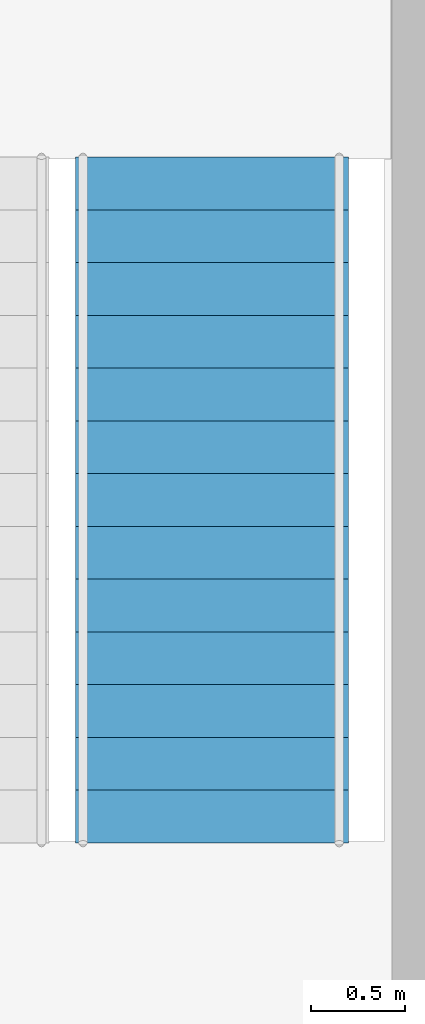
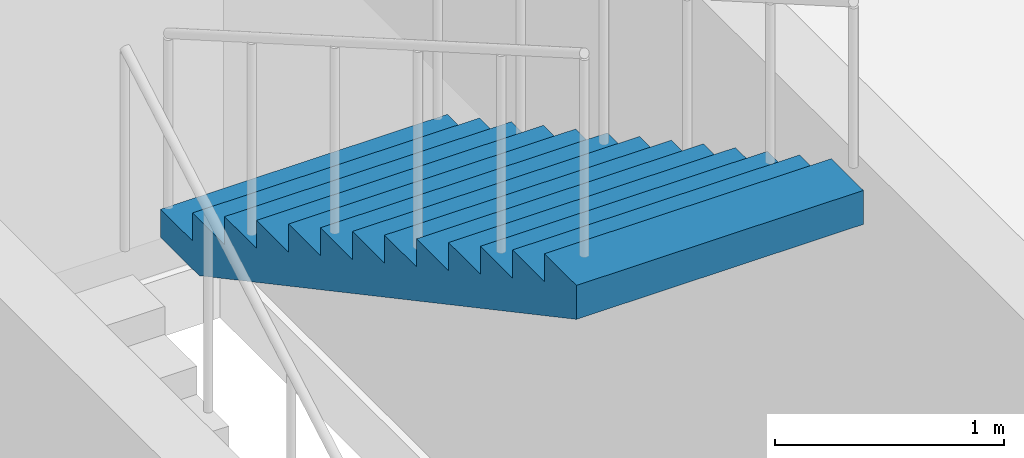
# One storey, part 109 of 117: 1 stair flight, 1 element without a shape of its own.
"""IFC4 building model written with IfcOpenShell, lengths in metres."""

from ifc_helpers import new_model, si_unit, direction, frame, origin, place, context, subcontext, project, spatial, polyline, outline, extrude, material, type_object, element, aggregate, save


model = new_model("IFC4")

# Units and contexts
model_context = context("Model", 3, precision=1e-05, world=origin(), true_north=direction((0.0, 1.0)))
body_context = subcontext(model_context, "Body", "Model", "MODEL_VIEW")
ifc_project = project(units=[si_unit("LENGTHUNIT", "METRE"), si_unit("AREAUNIT", "SQUARE_METRE"), si_unit("VOLUMEUNIT", "CUBIC_METRE"), si_unit("PLANEANGLEUNIT", "RADIAN"), si_unit("MASSUNIT", "GRAM", prefix="KILO")], contexts=[model_context])

# Site, building, storey
site_placement = place(None, origin())
site = spatial("IfcSite", under=ifc_project, at=site_placement, CompositionType="ELEMENT")
building_placement = place(site_placement, origin())
building = spatial("IfcBuilding", under=site, at=building_placement, Name="Merenkruunu Market Hall", CompositionType="ELEMENT")
storey_placement = place(building_placement, frame((0.0, 0.0, 10.199951171875)))
storey = spatial("IfcBuildingStorey", under=building, at=storey_placement, Name="L02", CompositionType="ELEMENT", Elevation=10.199951171875)

# Stair, stair flight
ifc_material = material(Name="Concrete C35/45", Category="concrete")
stair_type = type_object("IfcStairType", Name="Two Flight Half Turn Stair ST04", PredefinedType="TWO_STRAIGHT_RUN_STAIR", material=ifc_material)
stair_placement = place(storey_placement, origin())
stair = element("IfcStair", 1, at=stair_placement, inside=storey, type_object=stair_type, Name="Protected Stair ST15 (K6 L02-L03)", PredefinedType="TWO_STRAIGHT_RUN_STAIR")
stair_flight_type = type_object("IfcStairFlightType", Name="Straight Stair Flight SFL03", PredefinedType="STRAIGHT", material=ifc_material)
stair_flight_placement = place(storey_placement, frame((186.094970703125, 22.889892578125, 2.10009765625), z_axis=(0.0, 0.0, 1.0), x_axis=(0.0, -1.0, 0.0)))
stair_flight = element("IfcStairFlight", 2, at=stair_flight_placement, type_object=stair_flight_type, Name="ST15 flight 2", NumberOfRisers=14, NumberOfTreads=13, PredefinedType="STRAIGHT", RiserHeight=0.15, TreadLength=0.28, context=body_context, shape_type="SweptSolid", body=[
    extrude(outline(polyline([(0.0, 0.0), (0.0, 0.14990234375), (0.280029296875, 0.14990234375), (0.280029296875, 0.300048828125), (0.56005859375, 0.300048828125), (0.56005859375, 0.449951171875), (0.840087890625, 0.449951171875), (0.840087890625, 0.60009765625), (1.1201171875, 0.60009765625), (1.1201171875, 0.75), (1.39990234375, 0.75), (1.39990234375, 0.89990234375), (1.679931640625, 0.89990234375), (1.679931640625, 1.050048828125), (1.9599609375, 1.050048828125), (1.9599609375, 1.199951171875), (2.239990234375, 1.199951171875), (2.239990234375, 1.35009765625), (2.52001953125, 1.35009765625), (2.52001953125, 1.5), (2.800048828125, 1.5), (2.800048828125, 1.64990234375), (3.080078125, 1.64990234375), (3.080078125, 1.800048828125), (3.360107421875, 1.800048828125), (3.360107421875, 1.949951171875), (3.639892578125, 1.949951171875), (3.639892578125, 2.10009765625), (3.639892578125, 1.7685546875), (0.338623046875, 0.0), (0.0, 0.0)])), frame((0.0, 0.72509765625, 0.0), z_axis=(0.0, -1.0, 0.0), x_axis=(1.0, 0.0, 0.0)), (0.0, 0.0, 1.0), 1.449951171875),
])
aggregate(stair, [stair_flight])

save(model, "model.ifc")
